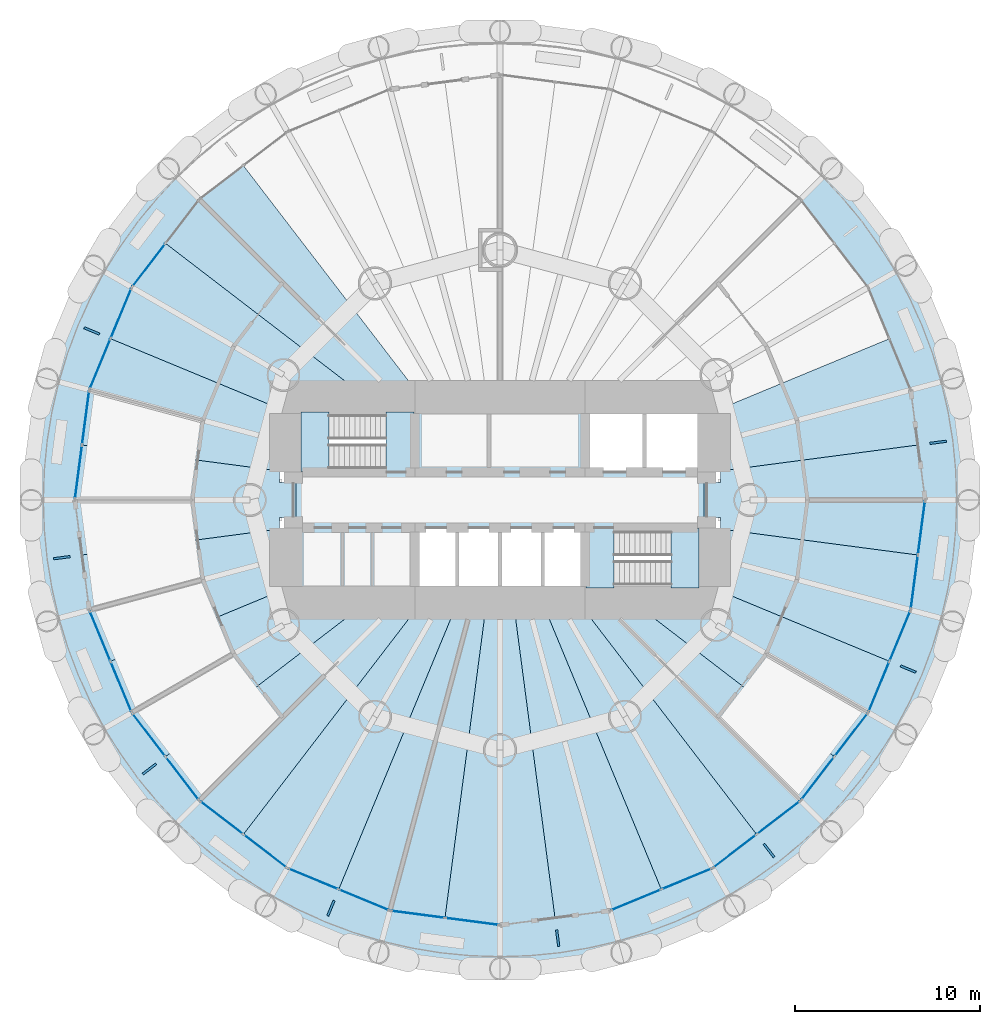
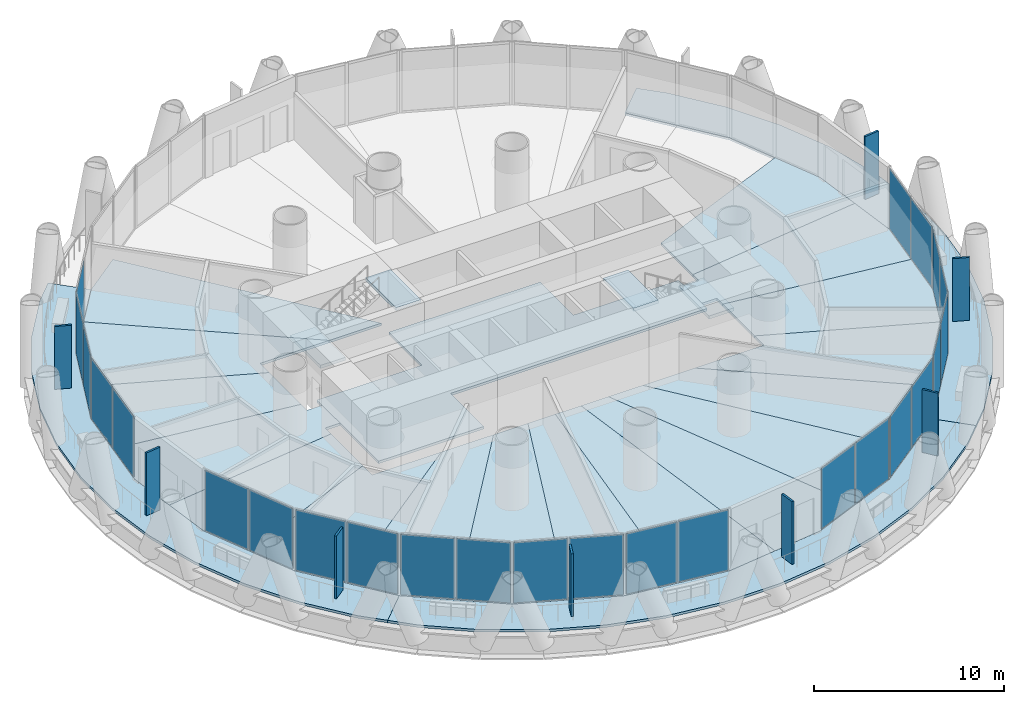
# One storey, part 8 of 16: 33 plates, 25 slabs, 15 elements without a shape of their own.
"""IFC4 building model written with IfcOpenShell, lengths in metres."""

from ifc_helpers import new_model, si_unit, direction, frame, origin, origin_2d, place, context, subcontext, project, spatial, polyline, rectangle, outline, extrude, material, layer, layer_set, type_object, element, aggregate, save


model = new_model("IFC4")

# Units and contexts
model_context = context("Model", 3, precision=1e-05, world=origin(), true_north=direction((0.0, 1.0)))
body_context = subcontext(model_context, "Body", "Model", "MODEL_VIEW")
ifc_project = project(units=[si_unit("LENGTHUNIT", "METRE"), si_unit("AREAUNIT", "SQUARE_METRE"), si_unit("VOLUMEUNIT", "CUBIC_METRE"), si_unit("PLANEANGLEUNIT", "RADIAN"), si_unit("MASSUNIT", "GRAM", prefix="KILO")], contexts=[model_context])

# Site, building, storey
site_placement = place(None, origin())
site = spatial("IfcSite", under=ifc_project, at=site_placement, CompositionType="ELEMENT")
building_placement = place(site_placement, origin())
building = spatial("IfcBuilding", under=site, at=building_placement, Name="Qaws Media Tower", CompositionType="ELEMENT")
storey_placement = place(building_placement, frame((0.0, 0.0, 105.800048828125)))
storey = spatial("IfcBuildingStorey", under=building, at=storey_placement, Name="L23", CompositionType="ELEMENT", Elevation=105.800048828125)

# Slabs
ifc_material_1 = material(Name="Concrete C35/45", Category="concrete")
ifc_layer_1 = layer(ifc_material_1, 0.159912109375)
ifc_layer_set_1 = layer_set([ifc_layer_1], Name="Composite balcony slab 160")
slab_type_1 = type_object("IfcSlabType", Name="Composite balcony slab 160", PredefinedType="FLOOR", material=ifc_layer_set_1)
slab_1_placement = place(storey_placement, frame((0.0, 0.0, -0.16015625)))
element("IfcSlab", 1, at=slab_1_placement, inside=storey, type_object=slab_type_1, Name="S2 balcony slab L23 R10 to R16, movement joints on R10 and R16", PredefinedType="FLOOR", context=body_context, shape_type="SweptSolid", body=[
    extrude(outline(polyline([(40.94091796875, 33.28564453125), (38.922119140625, 35.916259765625), (37.264404296875, 38.7880859375), (35.995361328125, 41.8515625), (35.13720703125, 45.054443359375), (34.704345703125, 48.342041015625), (34.704345703125, 51.657958984375), (35.13720703125, 54.945556640625), (35.995361328125, 58.1484375), (37.264404296875, 61.2119140625), (38.922119140625, 64.083740234375), (40.94091796875, 66.71435546875), (42.11328125, 67.88671875), (43.77197265625, 66.22802734375), (40.124755859375, 61.47509765625), (37.83203125, 55.93994140625), (37.050048828125, 50.0), (37.83203125, 44.06005859375), (40.124755859375, 38.52490234375), (43.77197265625, 33.77197265625), (42.11328125, 32.11328125), (40.94091796875, 33.28564453125)])), origin(), (0.0, 0.0, 1.0), 0.16015625),
])
slab_2_placement = place(storey_placement, frame((0.0, 0.0, -0.16015625)))
element("IfcSlab", 2, at=slab_2_placement, inside=storey, type_object=slab_type_1, Name="S2 balcony slab L23 R16 to R22, movement joints on R16 and R22", PredefinedType="FLOOR", context=body_context, shape_type="SweptSolid", body=[
    extrude(outline(polyline([(76.71435546875, 30.94091796875), (74.083740234375, 28.922119140625), (71.2119140625, 27.264404296875), (68.1484375, 25.995361328125), (64.945556640625, 25.13720703125), (61.657958984375, 24.704345703125), (58.342041015625, 24.704345703125), (55.054443359375, 25.13720703125), (51.8515625, 25.995361328125), (48.7880859375, 27.264404296875), (45.916259765625, 28.922119140625), (43.28564453125, 30.94091796875), (42.11328125, 32.11328125), (43.77197265625, 33.77197265625), (48.52490234375, 30.124755859375), (54.06005859375, 27.83203125), (60.0, 27.050048828125), (65.93994140625, 27.83203125), (71.47509765625, 30.124755859375), (76.22802734375, 33.77197265625), (77.88671875, 32.11328125), (76.71435546875, 30.94091796875)])), origin(), (0.0, 0.0, 1.0), 0.16015625),
])
slab_3_placement = place(storey_placement, frame((0.0, 0.0, -0.16015625)))
element("IfcSlab", 3, at=slab_3_placement, inside=storey, type_object=slab_type_1, Name="S2 balcony slab L23 R22 to R04, movement joints on R22 and R04", PredefinedType="FLOOR", context=body_context, shape_type="SweptSolid", body=[
    extrude(outline(polyline([(84.86279296875, 45.054443359375), (84.004638671875, 41.8515625), (82.735595703125, 38.7880859375), (81.077880859375, 35.916259765625), (79.05908203125, 33.28564453125), (77.88671875, 32.11328125), (76.22802734375, 33.77197265625), (79.875244140625, 38.52490234375), (82.16796875, 44.06005859375), (82.949951171875, 50.0), (82.16796875, 55.93994140625), (79.875244140625, 61.47509765625), (76.22802734375, 66.22802734375), (77.88671875, 67.88671875), (79.05908203125, 66.71435546875), (81.077880859375, 64.083740234375), (82.735595703125, 61.2119140625), (84.004638671875, 58.1484375), (84.86279296875, 54.945556640625), (85.295654296875, 51.657958984375), (85.295654296875, 48.342041015625), (84.86279296875, 45.054443359375)])), origin(), (0.0, 0.0, 1.0), 0.16015625),
])
ifc_material_2 = material(Name="Concrete C35/45", Category="concrete")
ifc_layer_2 = layer(ifc_material_2, 0.159912109375)
ifc_layer_set_2 = layer_set([ifc_layer_2], Name="Composite floor slab 160")
slab_type_2 = type_object("IfcSlabType", Name="Composite floor slab 160", PredefinedType="FLOOR", material=ifc_layer_set_2)
slab_4_placement = place(storey_placement, frame((0.0, 0.0, -0.16015625)))
element("IfcSlab", 4, at=slab_4_placement, inside=storey, type_object=slab_type_2, Name="S1 core floor slab L23", PredefinedType="FLOOR", context=body_context, shape_type="SweptSolid", body=[
    extrude(outline(polyline([(71.0, 51.5), (71.0, 48.5), (55.39990234375, 48.5), (55.39990234375, 45.0), (49.0, 45.0), (49.0, 51.5), (55.39990234375, 51.5), (55.39990234375, 55.0), (64.60009765625, 55.0), (64.60009765625, 51.5), (71.0, 51.5)])), origin(), (0.0, 0.0, 1.0), 0.16015625),
])
slab_5_placement = place(storey_placement, frame((0.0, 0.0, -0.16015625)))
element("IfcSlab", 5, at=slab_5_placement, inside=storey, type_object=slab_type_2, Name="S1 floor panel L23 on R01", PredefinedType="FLOOR", context=body_context, shape_type="SweptSolid", body=[
    extrude(outline(polyline([(82.949951171875, 50.0), (82.55908203125, 47.030029296875), (71.909912109375, 48.431884765625), (71.909912109375, 49.050048828125), (71.0, 49.050048828125), (71.0, 50.949951171875), (71.909912109375, 50.949951171875), (71.909912109375, 51.568115234375), (82.55908203125, 52.969970703125), (82.949951171875, 50.0)])), origin(), (0.0, 0.0, 1.0), 0.16015625),
])
slab_6_placement = place(storey_placement, frame((0.0, 0.0, -0.16015625)))
element("IfcSlab", 6, at=slab_6_placement, inside=storey, type_object=slab_type_2, Name="S1 floor panel L23 on R02", PredefinedType="FLOOR", context=body_context, shape_type="SweptSolid", body=[
    extrude(outline(polyline([(82.16796875, 55.93994140625), (82.55908203125, 52.969970703125), (71.909912109375, 51.568115234375), (71.909912109375, 54.933349609375), (81.021484375, 58.70751953125), (82.16796875, 55.93994140625)])), origin(), (0.0, 0.0, 1.0), 0.16015625),
])
slab_7_placement = place(storey_placement, frame((0.0, 0.0, -0.16015625)))
element("IfcSlab", 7, at=slab_7_placement, inside=storey, type_object=slab_type_2, Name="S1 floor panel L23 on R10", PredefinedType="FLOOR", context=body_context, shape_type="SweptSolid", body=[
    extrude(outline(polyline([(43.77197265625, 66.22802734375), (46.1484375, 68.0517578125), (55.465087890625, 55.909912109375), (52.2978515625, 55.909912109375), (41.9482421875, 63.8515625), (43.77197265625, 66.22802734375)])), origin(), (0.0, 0.0, 1.0), 0.16015625),
])
slab_8_placement = place(storey_placement, frame((0.0, 0.0, -0.16015625)))
element("IfcSlab", 8, at=slab_8_placement, inside=storey, type_object=slab_type_2, Name="S1 floor panel L23 on R11", PredefinedType="FLOOR", context=body_context, shape_type="SweptSolid", body=[
    extrude(outline(polyline([(40.124755859375, 61.47509765625), (41.9482421875, 63.8515625), (52.2978515625, 55.909912109375), (48.090087890625, 55.909912109375), (48.090087890625, 54.933349609375), (38.978515625, 58.70751953125), (40.124755859375, 61.47509765625)])), origin(), (0.0, 0.0, 1.0), 0.16015625),
])
slab_9_placement = place(storey_placement, frame((0.0, 0.0, -0.16015625)))
element("IfcSlab", 9, at=slab_9_placement, inside=storey, type_object=slab_type_2, Name="S1 floor panel L23 on R12", PredefinedType="FLOOR", context=body_context, shape_type="SweptSolid", body=[
    extrude(outline(polyline([(37.83203125, 55.93994140625), (38.978515625, 58.70751953125), (48.090087890625, 54.933349609375), (48.090087890625, 51.568115234375), (37.44091796875, 52.969970703125), (37.83203125, 55.93994140625)])), origin(), (0.0, 0.0, 1.0), 0.16015625),
])
slab_10_placement = place(storey_placement, frame((0.0, 0.0, -0.16015625)))
element("IfcSlab", 10, at=slab_10_placement, inside=storey, type_object=slab_type_2, Name="S1 floor panel L23 on R13", PredefinedType="FLOOR", context=body_context, shape_type="SweptSolid", body=[
    extrude(outline(polyline([(37.050048828125, 50.0), (37.44091796875, 52.969970703125), (48.090087890625, 51.568115234375), (48.090087890625, 50.949951171875), (49.0, 50.949951171875), (49.0, 49.050048828125), (48.090087890625, 49.050048828125), (48.090087890625, 48.431884765625), (37.44091796875, 47.030029296875), (37.050048828125, 50.0)])), origin(), (0.0, 0.0, 1.0), 0.16015625),
])
slab_11_placement = place(storey_placement, frame((0.0, 0.0, -0.16015625)))
element("IfcSlab", 11, at=slab_11_placement, inside=storey, type_object=slab_type_2, Name="S1 floor panel L23 on R14", PredefinedType="FLOOR", context=body_context, shape_type="SweptSolid", body=[
    extrude(outline(polyline([(37.83203125, 44.06005859375), (37.44091796875, 47.030029296875), (48.090087890625, 48.431884765625), (48.090087890625, 45.066650390625), (38.978515625, 41.29248046875), (37.83203125, 44.06005859375)])), origin(), (0.0, 0.0, 1.0), 0.16015625),
])
slab_12_placement = place(storey_placement, frame((0.0, 0.0, -0.16015625)))
element("IfcSlab", 12, at=slab_12_placement, inside=storey, type_object=slab_type_2, Name="S1 floor panel L23 on R15", PredefinedType="FLOOR", context=body_context, shape_type="SweptSolid", body=[
    extrude(outline(polyline([(40.124755859375, 38.52490234375), (38.978515625, 41.29248046875), (48.090087890625, 45.066650390625), (48.090087890625, 44.090087890625), (52.2978515625, 44.090087890625), (41.9482421875, 36.1484375), (40.124755859375, 38.52490234375)])), origin(), (0.0, 0.0, 1.0), 0.16015625),
])
slab_13_placement = place(storey_placement, frame((0.0, 0.0, -0.16015625)))
element("IfcSlab", 13, at=slab_13_placement, inside=storey, type_object=slab_type_2, Name="S1 floor panel L23 on R16", PredefinedType="FLOOR", context=body_context, shape_type="SweptSolid", body=[
    extrude(outline(polyline([(43.77197265625, 33.77197265625), (41.9482421875, 36.1484375), (52.2978515625, 44.090087890625), (55.465087890625, 44.090087890625), (46.1484375, 31.9482421875), (43.77197265625, 33.77197265625)])), origin(), (0.0, 0.0, 1.0), 0.16015625),
])
slab_14_placement = place(storey_placement, frame((0.0, 0.0, -0.16015625)))
element("IfcSlab", 14, at=slab_14_placement, inside=storey, type_object=slab_type_2, Name="S1 floor panel L23 on R17", PredefinedType="FLOOR", context=body_context, shape_type="SweptSolid", body=[
    extrude(outline(polyline([(48.52490234375, 30.124755859375), (46.1484375, 31.9482421875), (55.465087890625, 44.090087890625), (57.552001953125, 44.090087890625), (51.29248046875, 28.978515625), (48.52490234375, 30.124755859375)])), origin(), (0.0, 0.0, 1.0), 0.16015625),
])
slab_15_placement = place(storey_placement, frame((0.0, 0.0, -0.16015625)))
element("IfcSlab", 15, at=slab_15_placement, inside=storey, type_object=slab_type_2, Name="S1 floor panel L23 on R18", PredefinedType="FLOOR", context=body_context, shape_type="SweptSolid", body=[
    extrude(outline(polyline([(54.06005859375, 27.83203125), (51.29248046875, 28.978515625), (57.552001953125, 44.090087890625), (59.221923828125, 44.090087890625), (57.030029296875, 27.44091796875), (54.06005859375, 27.83203125)])), origin(), (0.0, 0.0, 1.0), 0.16015625),
])
slab_16_placement = place(storey_placement, frame((0.0, 0.0, -0.16015625)))
element("IfcSlab", 16, at=slab_16_placement, inside=storey, type_object=slab_type_2, Name="S1 floor panel L23 on R19", PredefinedType="FLOOR", context=body_context, shape_type="SweptSolid", body=[
    extrude(outline(polyline([(60.0, 27.050048828125), (57.030029296875, 27.44091796875), (59.221923828125, 44.090087890625), (60.778076171875, 44.090087890625), (62.969970703125, 27.44091796875), (60.0, 27.050048828125)])), origin(), (0.0, 0.0, 1.0), 0.16015625),
])
slab_17_placement = place(storey_placement, frame((0.0, 0.0, -0.16015625)))
element("IfcSlab", 17, at=slab_17_placement, inside=storey, type_object=slab_type_2, Name="S1 floor panel L23 on R20", PredefinedType="FLOOR", context=body_context, shape_type="SweptSolid", body=[
    extrude(outline(polyline([(65.93994140625, 27.83203125), (62.969970703125, 27.44091796875), (60.778076171875, 44.090087890625), (62.447998046875, 44.090087890625), (68.70751953125, 28.978515625), (65.93994140625, 27.83203125)])), origin(), (0.0, 0.0, 1.0), 0.16015625),
])
slab_18_placement = place(storey_placement, frame((0.0, 0.0, -0.16015625)))
element("IfcSlab", 18, at=slab_18_placement, inside=storey, type_object=slab_type_2, Name="S1 floor panel L23 on R21", PredefinedType="FLOOR", context=body_context, shape_type="SweptSolid", body=[
    extrude(outline(polyline([(71.47509765625, 30.124755859375), (68.70751953125, 28.978515625), (62.447998046875, 44.090087890625), (64.534912109375, 44.090087890625), (73.8515625, 31.9482421875), (71.47509765625, 30.124755859375)])), origin(), (0.0, 0.0, 1.0), 0.16015625),
])
slab_19_placement = place(storey_placement, frame((0.0, 0.0, -0.16015625)))
element("IfcSlab", 19, at=slab_19_placement, inside=storey, type_object=slab_type_2, Name="S1 floor panel L23 on R22", PredefinedType="FLOOR", context=body_context, shape_type="SweptSolid", body=[
    extrude(outline(polyline([(76.22802734375, 33.77197265625), (73.8515625, 31.9482421875), (64.534912109375, 44.090087890625), (67.7021484375, 44.090087890625), (78.0517578125, 36.1484375), (76.22802734375, 33.77197265625)])), origin(), (0.0, 0.0, 1.0), 0.16015625),
])
slab_20_placement = place(storey_placement, frame((0.0, 0.0, -0.16015625)))
element("IfcSlab", 20, at=slab_20_placement, inside=storey, type_object=slab_type_2, Name="S1 floor panel L23 on R23", PredefinedType="FLOOR", context=body_context, shape_type="SweptSolid", body=[
    extrude(outline(polyline([(78.0517578125, 36.1484375), (67.7021484375, 44.090087890625), (71.909912109375, 44.090087890625), (71.909912109375, 45.066650390625), (81.021484375, 41.29248046875), (79.875244140625, 38.52490234375), (78.0517578125, 36.1484375)])), origin(), (0.0, 0.0, 1.0), 0.16015625),
])
slab_21_placement = place(storey_placement, frame((0.0, 0.0, -0.16015625)))
element("IfcSlab", 21, at=slab_21_placement, inside=storey, type_object=slab_type_2, Name="S1 floor panel L23 on R24", PredefinedType="FLOOR", context=body_context, shape_type="SweptSolid", body=[
    extrude(outline(polyline([(82.16796875, 44.06005859375), (81.021484375, 41.29248046875), (71.909912109375, 45.066650390625), (71.909912109375, 48.431884765625), (82.55908203125, 47.030029296875), (82.16796875, 44.06005859375)])), origin(), (0.0, 0.0, 1.0), 0.16015625),
])

# Curtain wall, plate
ifc_material_3 = material(Name="Aluminium and clear glass", Category="aluminium")
curtain_wall_type = type_object("IfcCurtainWallType", Name="Unitised curtain wall CW-B", PredefinedType="NOTDEFINED", material=ifc_material_3)
curtain_wall_1_placement = place(storey_placement, origin())
curtain_wall_1 = element("IfcCurtainWall", 22, at=curtain_wall_1_placement, inside=storey, type_object=curtain_wall_type, Name="CWB curtain wall L23-10", PredefinedType="NOTDEFINED")
ifc_material_4 = material(Name="Clear laminated double glazing", Category="glass")
ifc_layer_3 = layer(ifc_material_4, 0.031982421875)
ifc_layer_set_3 = layer_set([ifc_layer_3], Name="Curtain wall glass unit 32")
plate_type_1 = type_object("IfcPlateType", Name="Curtain wall glass unit 32", PredefinedType="CURTAIN_PANEL", material=ifc_layer_set_3)
plate_1_placement = place(storey_placement, frame((41.048583984375, 62.67919921875, 0.080078125), z_axis=(0.0, 0.0, 1.0), x_axis=(-0.608761358211, -0.793353394616, 0.0)))
plate_1 = element("IfcPlate", 23, at=plate_1_placement, type_object=plate_type_1, Name="CWB panel 2.1", PredefinedType="CURTAIN_PANEL", context=body_context, shape_type="SweptSolid", body=[
    extrude(rectangle(XDim=2.87548828125, YDim=0.031982421875, at=origin_2d()), origin(), (0.0, 0.0, 1.0), 3.8798828125),
])
aggregate(curtain_wall_1, [plate_1])

# Curtain wall, plates
curtain_wall_2_placement = place(storey_placement, origin())
curtain_wall_2 = element("IfcCurtainWall", 24, at=curtain_wall_2_placement, inside=storey, type_object=curtain_wall_type, Name="CWB curtain wall L23-11", PredefinedType="NOTDEFINED")
plate_2_placement = place(storey_placement, frame((39.5439453125, 60.07275390625, 0.080078125), z_axis=(0.0, 0.0, 1.0), x_axis=(-0.382683470581, -0.923879516682, 0.0)))
plate_2 = element("IfcPlate", 25, at=plate_2_placement, type_object=plate_type_1, Name="CWB panel 1.1", PredefinedType="CURTAIN_PANEL", context=body_context, shape_type="SweptSolid", body=[
    extrude(rectangle(XDim=2.87548828125, YDim=0.031982421875, at=origin_2d()), origin(), (0.0, 0.0, 1.0), 3.8798828125),
])
plate_3_placement = place(storey_placement, frame((38.412841796875, 57.342041015625, 0.080078125), z_axis=(0.0, 0.0, 1.0), x_axis=(-0.382683470581, -0.923879516682, 0.0)))
plate_3 = element("IfcPlate", 26, at=plate_3_placement, type_object=plate_type_1, Name="CWB panel 2.1", PredefinedType="CURTAIN_PANEL", context=body_context, shape_type="SweptSolid", body=[
    extrude(rectangle(XDim=2.87548828125, YDim=0.031982421875, at=origin_2d()), origin(), (0.0, 0.0, 1.0), 3.8798828125),
])
aggregate(curtain_wall_2, [plate_2, plate_3])

curtain_wall_3_placement = place(storey_placement, origin())
curtain_wall_3 = element("IfcCurtainWall", 27, at=curtain_wall_3_placement, inside=storey, type_object=curtain_wall_type, Name="CWB curtain wall L23-12", PredefinedType="NOTDEFINED")
plate_4_placement = place(storey_placement, frame((37.6337890625, 54.43505859375, 0.080078125), z_axis=(0.0, 0.0, 1.0), x_axis=(-0.130526147022, -0.991444867324, 0.0)))
plate_4 = element("IfcPlate", 28, at=plate_4_placement, type_object=plate_type_1, Name="CWB panel 1.1", PredefinedType="CURTAIN_PANEL", context=body_context, shape_type="SweptSolid", body=[
    extrude(rectangle(XDim=2.87548828125, YDim=0.031982421875, at=origin_2d()), origin(), (0.0, 0.0, 1.0), 3.8798828125),
])
plate_5_placement = place(storey_placement, frame((37.248046875, 51.5048828125, 0.080078125), z_axis=(0.0, 0.0, 1.0), x_axis=(-0.130526147022, -0.991444867324, 0.0)))
plate_5 = element("IfcPlate", 29, at=plate_5_placement, type_object=plate_type_1, Name="CWB panel 2.1", PredefinedType="CURTAIN_PANEL", context=body_context, shape_type="SweptSolid", body=[
    extrude(rectangle(XDim=2.87548828125, YDim=0.031982421875, at=origin_2d()), origin(), (0.0, 0.0, 1.0), 3.8798828125),
])
aggregate(curtain_wall_3, [plate_4, plate_5])

curtain_wall_4_placement = place(storey_placement, origin())
curtain_wall_4 = element("IfcCurtainWall", 30, at=curtain_wall_4_placement, inside=storey, type_object=curtain_wall_type, Name="CWB curtain wall L23-14", PredefinedType="NOTDEFINED")
plate_6_placement = place(storey_placement, frame((38.412841796875, 42.657958984375, 0.080078125), z_axis=(0.0, 0.0, 1.0), x_axis=(0.382683470581, -0.923879516682, 0.0)))
plate_6 = element("IfcPlate", 31, at=plate_6_placement, type_object=plate_type_1, Name="CWB panel 1.1", PredefinedType="CURTAIN_PANEL", context=body_context, shape_type="SweptSolid", body=[
    extrude(rectangle(XDim=2.87548828125, YDim=0.031982421875, at=origin_2d()), origin(), (0.0, 0.0, 1.0), 3.8798828125),
])
plate_7_placement = place(storey_placement, frame((39.5439453125, 39.92724609375, 0.080078125), z_axis=(0.0, 0.0, 1.0), x_axis=(0.382683470581, -0.923879516682, 0.0)))
plate_7 = element("IfcPlate", 32, at=plate_7_placement, type_object=plate_type_1, Name="CWB panel 2.1", PredefinedType="CURTAIN_PANEL", context=body_context, shape_type="SweptSolid", body=[
    extrude(rectangle(XDim=2.87548828125, YDim=0.031982421875, at=origin_2d()), origin(), (0.0, 0.0, 1.0), 3.8798828125),
])
aggregate(curtain_wall_4, [plate_6, plate_7])

curtain_wall_5_placement = place(storey_placement, origin())
curtain_wall_5 = element("IfcCurtainWall", 33, at=curtain_wall_5_placement, inside=storey, type_object=curtain_wall_type, Name="CWB curtain wall L23-15", PredefinedType="NOTDEFINED")
plate_8_placement = place(storey_placement, frame((41.048583984375, 37.32080078125, 0.080078125), z_axis=(0.0, 0.0, 1.0), x_axis=(0.608761358211, -0.793353394616, 0.0)))
plate_8 = element("IfcPlate", 34, at=plate_8_placement, type_object=plate_type_1, Name="CWB panel 1.1", PredefinedType="CURTAIN_PANEL", context=body_context, shape_type="SweptSolid", body=[
    extrude(rectangle(XDim=2.87548828125, YDim=0.031982421875, at=origin_2d()), origin(), (0.0, 0.0, 1.0), 3.8798828125),
])
plate_9_placement = place(storey_placement, frame((42.847900390625, 34.97607421875, 0.080078125), z_axis=(0.0, 0.0, 1.0), x_axis=(0.608761358211, -0.793353394616, 0.0)))
plate_9 = element("IfcPlate", 35, at=plate_9_placement, type_object=plate_type_1, Name="CWB panel 2.1", PredefinedType="CURTAIN_PANEL", context=body_context, shape_type="SweptSolid", body=[
    extrude(rectangle(XDim=2.87548828125, YDim=0.031982421875, at=origin_2d()), origin(), (0.0, 0.0, 1.0), 3.8798828125),
])
aggregate(curtain_wall_5, [plate_8, plate_9])

curtain_wall_6_placement = place(storey_placement, origin())
curtain_wall_6 = element("IfcCurtainWall", 36, at=curtain_wall_6_placement, inside=storey, type_object=curtain_wall_type, Name="CWB curtain wall L23-16", PredefinedType="NOTDEFINED")
plate_10_placement = place(storey_placement, frame((44.97607421875, 32.847900390625, 0.080078125), z_axis=(0.0, 0.0, 1.0), x_axis=(0.793353394616, -0.608761358211, 0.0)))
plate_10 = element("IfcPlate", 37, at=plate_10_placement, type_object=plate_type_1, Name="CWB panel 1.1", PredefinedType="CURTAIN_PANEL", context=body_context, shape_type="SweptSolid", body=[
    extrude(rectangle(XDim=2.87548828125, YDim=0.031982421875, at=origin_2d()), origin(), (0.0, 0.0, 1.0), 3.8798828125),
])
plate_11_placement = place(storey_placement, frame((47.32080078125, 31.048583984375, 0.080078125), z_axis=(0.0, 0.0, 1.0), x_axis=(0.793353394616, -0.608761358211, 0.0)))
plate_11 = element("IfcPlate", 38, at=plate_11_placement, type_object=plate_type_1, Name="CWB panel 2.1", PredefinedType="CURTAIN_PANEL", context=body_context, shape_type="SweptSolid", body=[
    extrude(rectangle(XDim=2.87548828125, YDim=0.031982421875, at=origin_2d()), origin(), (0.0, 0.0, 1.0), 3.8798828125),
])
aggregate(curtain_wall_6, [plate_10, plate_11])

curtain_wall_7_placement = place(storey_placement, origin())
curtain_wall_7 = element("IfcCurtainWall", 39, at=curtain_wall_7_placement, inside=storey, type_object=curtain_wall_type, Name="CWB curtain wall L23-17", PredefinedType="NOTDEFINED")
plate_12_placement = place(storey_placement, frame((49.92724609375, 29.5439453125, 0.080078125), z_axis=(0.0, 0.0, 1.0), x_axis=(0.923879516682, -0.382683470581, 0.0)))
plate_12 = element("IfcPlate", 40, at=plate_12_placement, type_object=plate_type_1, Name="CWB panel 1.1", PredefinedType="CURTAIN_PANEL", context=body_context, shape_type="SweptSolid", body=[
    extrude(rectangle(XDim=2.87548828125, YDim=0.031982421875, at=origin_2d()), origin(), (0.0, 0.0, 1.0), 3.8798828125),
])
plate_13_placement = place(storey_placement, frame((52.657958984375, 28.412841796875, 0.080078125), z_axis=(0.0, 0.0, 1.0), x_axis=(0.923879516682, -0.382683470581, 0.0)))
plate_13 = element("IfcPlate", 41, at=plate_13_placement, type_object=plate_type_1, Name="CWB panel 2.1", PredefinedType="CURTAIN_PANEL", context=body_context, shape_type="SweptSolid", body=[
    extrude(rectangle(XDim=2.87548828125, YDim=0.031982421875, at=origin_2d()), origin(), (0.0, 0.0, 1.0), 3.8798828125),
])
aggregate(curtain_wall_7, [plate_12, plate_13])

curtain_wall_8_placement = place(storey_placement, origin())
curtain_wall_8 = element("IfcCurtainWall", 42, at=curtain_wall_8_placement, inside=storey, type_object=curtain_wall_type, Name="CWB curtain wall L23-18", PredefinedType="NOTDEFINED")
plate_14_placement = place(storey_placement, frame((55.56494140625, 27.6337890625, 0.080078125), z_axis=(0.0, 0.0, 1.0), x_axis=(0.991444867324, -0.130526147022, 0.0)))
plate_14 = element("IfcPlate", 43, at=plate_14_placement, type_object=plate_type_1, Name="CWB panel 1.1", PredefinedType="CURTAIN_PANEL", context=body_context, shape_type="SweptSolid", body=[
    extrude(rectangle(XDim=2.87548828125, YDim=0.031982421875, at=origin_2d()), origin(), (0.0, 0.0, 1.0), 3.8798828125),
])
plate_15_placement = place(storey_placement, frame((58.4951171875, 27.248046875, 0.080078125), z_axis=(0.0, 0.0, 1.0), x_axis=(0.991444867324, -0.130526147022, 0.0)))
plate_15 = element("IfcPlate", 44, at=plate_15_placement, type_object=plate_type_1, Name="CWB panel 2.1", PredefinedType="CURTAIN_PANEL", context=body_context, shape_type="SweptSolid", body=[
    extrude(rectangle(XDim=2.87548828125, YDim=0.031982421875, at=origin_2d()), origin(), (0.0, 0.0, 1.0), 3.8798828125),
])
aggregate(curtain_wall_8, [plate_14, plate_15])

curtain_wall_9_placement = place(storey_placement, origin())
curtain_wall_9 = element("IfcCurtainWall", 45, at=curtain_wall_9_placement, inside=storey, type_object=curtain_wall_type, Name="CWB curtain wall L23-20", PredefinedType="NOTDEFINED")
plate_16_placement = place(storey_placement, frame((67.342041015625, 28.412841796875, 0.080078125), z_axis=(0.0, 0.0, 1.0), x_axis=(0.923879516682, 0.382683470581, 0.0)))
plate_16 = element("IfcPlate", 46, at=plate_16_placement, type_object=plate_type_1, Name="CWB panel 1.1", PredefinedType="CURTAIN_PANEL", context=body_context, shape_type="SweptSolid", body=[
    extrude(rectangle(XDim=2.87548828125, YDim=0.031982421875, at=origin_2d()), origin(), (0.0, 0.0, 1.0), 3.8798828125),
])
plate_17_placement = place(storey_placement, frame((70.07275390625, 29.5439453125, 0.080078125), z_axis=(0.0, 0.0, 1.0), x_axis=(0.923879516682, 0.382683470581, 0.0)))
plate_17 = element("IfcPlate", 47, at=plate_17_placement, type_object=plate_type_1, Name="CWB panel 2.1", PredefinedType="CURTAIN_PANEL", context=body_context, shape_type="SweptSolid", body=[
    extrude(rectangle(XDim=2.87548828125, YDim=0.031982421875, at=origin_2d()), origin(), (0.0, 0.0, 1.0), 3.8798828125),
])
aggregate(curtain_wall_9, [plate_16, plate_17])

curtain_wall_10_placement = place(storey_placement, origin())
curtain_wall_10 = element("IfcCurtainWall", 48, at=curtain_wall_10_placement, inside=storey, type_object=curtain_wall_type, Name="CWB curtain wall L23-21", PredefinedType="NOTDEFINED")
plate_18_placement = place(storey_placement, frame((72.67919921875, 31.048583984375, 0.080078125), z_axis=(0.0, 0.0, 1.0), x_axis=(0.793353394616, 0.608761358211, 0.0)))
plate_18 = element("IfcPlate", 49, at=plate_18_placement, type_object=plate_type_1, Name="CWB panel 1.1", PredefinedType="CURTAIN_PANEL", context=body_context, shape_type="SweptSolid", body=[
    extrude(rectangle(XDim=2.87548828125, YDim=0.031982421875, at=origin_2d()), origin(), (0.0, 0.0, 1.0), 3.8798828125),
])
plate_19_placement = place(storey_placement, frame((75.02392578125, 32.847900390625, 0.080078125), z_axis=(0.0, 0.0, 1.0), x_axis=(0.793353394616, 0.608761358211, 0.0)))
plate_19 = element("IfcPlate", 50, at=plate_19_placement, type_object=plate_type_1, Name="CWB panel 2.1", PredefinedType="CURTAIN_PANEL", context=body_context, shape_type="SweptSolid", body=[
    extrude(rectangle(XDim=2.87548828125, YDim=0.031982421875, at=origin_2d()), origin(), (0.0, 0.0, 1.0), 3.8798828125),
])
aggregate(curtain_wall_10, [plate_18, plate_19])

curtain_wall_11_placement = place(storey_placement, origin())
curtain_wall_11 = element("IfcCurtainWall", 51, at=curtain_wall_11_placement, inside=storey, type_object=curtain_wall_type, Name="CWB curtain wall L23-22", PredefinedType="NOTDEFINED")
plate_20_placement = place(storey_placement, frame((77.152099609375, 34.97607421875, 0.080078125), z_axis=(0.0, 0.0, 1.0), x_axis=(0.608761358211, 0.793353394616, 0.0)))
plate_20 = element("IfcPlate", 52, at=plate_20_placement, type_object=plate_type_1, Name="CWB panel 1.1", PredefinedType="CURTAIN_PANEL", context=body_context, shape_type="SweptSolid", body=[
    extrude(rectangle(XDim=2.87548828125, YDim=0.031982421875, at=origin_2d()), origin(), (0.0, 0.0, 1.0), 3.8798828125),
])
plate_21_placement = place(storey_placement, frame((78.951416015625, 37.32080078125, 0.080078125), z_axis=(0.0, 0.0, 1.0), x_axis=(0.608761358211, 0.793353394616, 0.0)))
plate_21 = element("IfcPlate", 53, at=plate_21_placement, type_object=plate_type_1, Name="CWB panel 2.1", PredefinedType="CURTAIN_PANEL", context=body_context, shape_type="SweptSolid", body=[
    extrude(rectangle(XDim=2.87548828125, YDim=0.031982421875, at=origin_2d()), origin(), (0.0, 0.0, 1.0), 3.8798828125),
])
aggregate(curtain_wall_11, [plate_20, plate_21])

curtain_wall_12_placement = place(storey_placement, origin())
curtain_wall_12 = element("IfcCurtainWall", 54, at=curtain_wall_12_placement, inside=storey, type_object=curtain_wall_type, Name="CWB curtain wall L23-23", PredefinedType="NOTDEFINED")
plate_22_placement = place(storey_placement, frame((80.4560546875, 39.92724609375, 0.080078125), z_axis=(0.0, 0.0, 1.0), x_axis=(0.382683470581, 0.923879516682, 0.0)))
plate_22 = element("IfcPlate", 55, at=plate_22_placement, type_object=plate_type_1, Name="CWB panel 1.1", PredefinedType="CURTAIN_PANEL", context=body_context, shape_type="SweptSolid", body=[
    extrude(rectangle(XDim=2.87548828125, YDim=0.031982421875, at=origin_2d()), origin(), (0.0, 0.0, 1.0), 3.8798828125),
])
plate_23_placement = place(storey_placement, frame((81.587158203125, 42.657958984375, 0.080078125), z_axis=(0.0, 0.0, 1.0), x_axis=(0.382683470581, 0.923879516682, 0.0)))
plate_23 = element("IfcPlate", 56, at=plate_23_placement, type_object=plate_type_1, Name="CWB panel 2.1", PredefinedType="CURTAIN_PANEL", context=body_context, shape_type="SweptSolid", body=[
    extrude(rectangle(XDim=2.87548828125, YDim=0.031982421875, at=origin_2d()), origin(), (0.0, 0.0, 1.0), 3.8798828125),
])
aggregate(curtain_wall_12, [plate_22, plate_23])

curtain_wall_13_placement = place(storey_placement, origin())
curtain_wall_13 = element("IfcCurtainWall", 57, at=curtain_wall_13_placement, inside=storey, type_object=curtain_wall_type, Name="CWB curtain wall L23-24", PredefinedType="NOTDEFINED")
plate_24_placement = place(storey_placement, frame((82.3662109375, 45.56494140625, 0.080078125), z_axis=(0.0, 0.0, 1.0), x_axis=(0.130526147022, 0.991444867324, 0.0)))
plate_24 = element("IfcPlate", 58, at=plate_24_placement, type_object=plate_type_1, Name="CWB panel 1.1", PredefinedType="CURTAIN_PANEL", context=body_context, shape_type="SweptSolid", body=[
    extrude(rectangle(XDim=2.87548828125, YDim=0.031982421875, at=origin_2d()), origin(), (0.0, 0.0, 1.0), 3.8798828125),
])
plate_25_placement = place(storey_placement, frame((82.751953125, 48.4951171875, 0.080078125), z_axis=(0.0, 0.0, 1.0), x_axis=(0.130526147022, 0.991444867324, 0.0)))
plate_25 = element("IfcPlate", 59, at=plate_25_placement, type_object=plate_type_1, Name="CWB panel 2.1", PredefinedType="CURTAIN_PANEL", context=body_context, shape_type="SweptSolid", body=[
    extrude(rectangle(XDim=2.87548828125, YDim=0.031982421875, at=origin_2d()), origin(), (0.0, 0.0, 1.0), 3.8798828125),
])
aggregate(curtain_wall_13, [plate_24, plate_25])

# Plates
ifc_material_5 = material(Name="Precast concrete screen fin", Category="concrete")
ifc_layer_4 = layer(ifc_material_5, 0.1201171875)
ifc_layer_set_4 = layer_set([ifc_layer_4], Name="Screen fin 120x900")
plate_type_2 = type_object("IfcPlateType", Name="Screen fin 120x900", PredefinedType="USERDEFINED", material=ifc_layer_set_4)
for number, where, z_axis, x_axis, name in (
    (60, (83.64599609375, 53.113037109375, 0.0), (0.0, 0.0, 1.0), (0.991444861374, 0.13052619222, 0.0), "SCR1 screen fin L23-01"),
    (61, (37.965576171875, 59.126953125, 0.0), (0.0, 0.0, 1.0), (-0.923879532511, 0.382683432365, 0.0), "SCR1 screen fin L23-06"),
    (62, (36.35400390625, 46.886962890625, 0.0), (0.0, 0.0, 1.0), (-0.991444861374, -0.13052619222, 0.0), "SCR1 screen fin L23-07"),
    (63, (41.07861328125, 35.48095703125, 0.0), (0.0, 0.0, 1.0), (-0.793353340291, -0.608761429009, 0.0), "SCR1 screen fin L23-08"),
    (64, (50.873046875, 27.965576171875, 0.0), (0.0, 0.0, 1.0), (-0.382683432365, -0.923879532511, 0.0), "SCR1 screen fin L23-09"),
    (65, (63.113037109375, 26.35400390625, 0.0), (0.0, 0.0, 1.0), (0.13052619222, -0.991444861374, 0.0), "SCR1 screen fin L23-10"),
    (66, (74.51904296875, 31.07861328125, 0.0), (0.0, 0.0, 1.0), (0.608761429009, -0.793353340291, 0.0), "SCR1 screen fin L23-11"),
    (67, (82.034423828125, 40.873046875, 0.0), (0.0, 0.0, 1.0), (0.923879532511, -0.382683432365, 0.0), "SCR1 screen fin L23-12"),
):
    element("IfcPlate", number, at=place(storey_placement, frame(where, z_axis=z_axis, x_axis=x_axis)), inside=storey, type_object=plate_type_2, Name=name, ObjectType="SCREEN", PredefinedType="USERDEFINED", context=body_context, shape_type="SweptSolid", body=[
        extrude(rectangle(XDim=0.89990234375, YDim=0.1201171875, at=origin_2d()), origin(), (0.0, 0.0, 1.0), 4.0400390625),
    ])

# Stair, slabs
ifc_material_6 = material(Name="Concrete C40/50", Category="concrete")
stair_type = type_object("IfcStairType", Name="Exit stair", PredefinedType="HALF_TURN_STAIR", material=ifc_material_6)
stair_1_placement = place(storey_placement, origin())
stair_1 = element("IfcStair", 68, at=stair_1_placement, inside=storey, type_object=stair_type, Name="S1 exit stair L23", PredefinedType="HALF_TURN_STAIR")
ifc_material_7 = material(Name="Concrete C40/50", Category="concrete")
ifc_layer_5 = layer(ifc_material_7, 0.199951171875)
ifc_layer_set_5 = layer_set([ifc_layer_5], Name="Stair landing 200")
slab_type_3 = type_object("IfcSlabType", Name="Stair landing 200", PredefinedType="LANDING", material=ifc_layer_set_5)
slab_22_placement = place(storey_placement, frame((0.0, 0.0, 1.89990234375)))
slab_22 = element("IfcSlab", 69, at=slab_22_placement, type_object=slab_type_3, Name="S1 landing 1", PredefinedType="LANDING", context=body_context, shape_type="SweptSolid", body=[
    extrude(outline(polyline([(49.25, 51.550048828125), (50.760009765625, 51.550048828125), (50.760009765625, 54.75), (49.25, 54.75), (49.25, 51.550048828125)])), origin(), (0.0, 0.0, 1.0), 0.199951171875),
])
slab_23_placement = place(storey_placement, frame((0.0, 0.0, 4.0)))
slab_23 = element("IfcSlab", 70, at=slab_23_placement, type_object=slab_type_3, Name="S1 landing 2", PredefinedType="LANDING", context=body_context, shape_type="SweptSolid", body=[
    extrude(outline(polyline([(53.840087890625, 51.550048828125), (55.35009765625, 51.550048828125), (55.35009765625, 54.75), (53.840087890625, 54.75), (53.840087890625, 51.550048828125)])), origin(), (0.0, 0.0, 1.0), 0.199951171875),
])
aggregate(stair_1, [slab_22, slab_23])

stair_2_placement = place(storey_placement, origin())
stair_2 = element("IfcStair", 71, at=stair_2_placement, inside=storey, type_object=stair_type, Name="S2 exit stair L23", PredefinedType="HALF_TURN_STAIR")
slab_24_placement = place(storey_placement, frame((0.0, 0.0, 1.89990234375)))
slab_24 = element("IfcSlab", 72, at=slab_24_placement, type_object=slab_type_3, Name="S2 landing 1", PredefinedType="LANDING", context=body_context, shape_type="SweptSolid", body=[
    extrude(outline(polyline([(69.239990234375, 45.25), (70.75, 45.25), (70.75, 48.449951171875), (69.239990234375, 48.449951171875), (69.239990234375, 45.25)])), origin(), (0.0, 0.0, 1.0), 0.199951171875),
])
slab_25_placement = place(storey_placement, frame((0.0, 0.0, 4.0)))
slab_25 = element("IfcSlab", 73, at=slab_25_placement, type_object=slab_type_3, Name="S2 landing 2", PredefinedType="LANDING", context=body_context, shape_type="SweptSolid", body=[
    extrude(outline(polyline([(64.64990234375, 45.25), (66.159912109375, 45.25), (66.159912109375, 48.449951171875), (64.64990234375, 48.449951171875), (64.64990234375, 45.25)])), origin(), (0.0, 0.0, 1.0), 0.199951171875),
])
aggregate(stair_2, [slab_24, slab_25])

save(model, "model.ifc")
